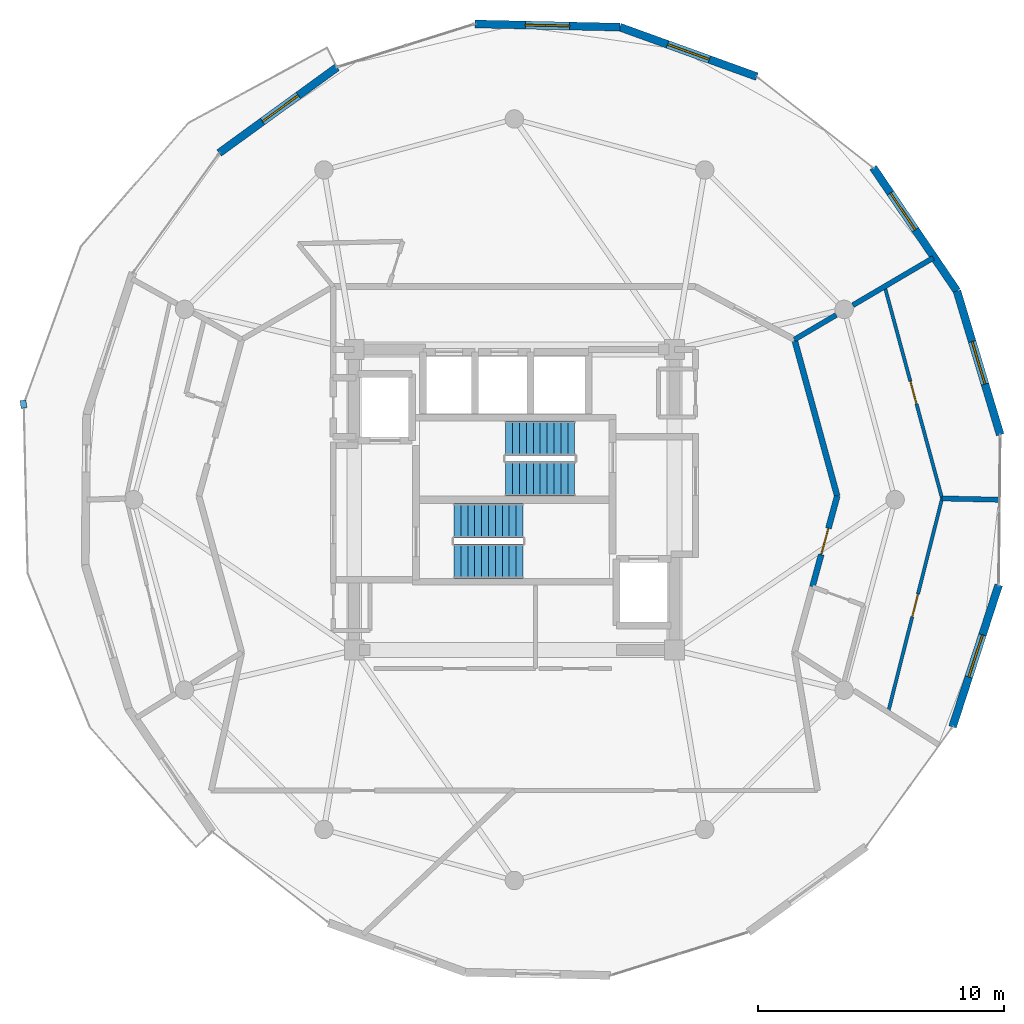
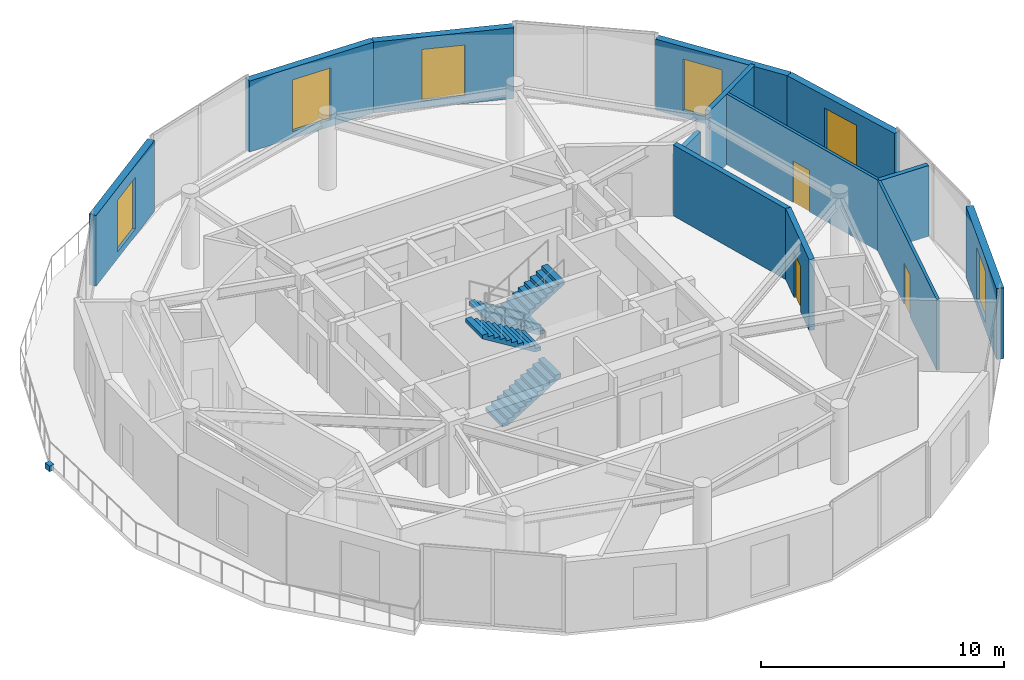
# One storey, part 17 of 19: 13 walls, 6 windows, 4 stair flights, 3 doors, 1 discrete accessory, 9 openings, 2 elements without a shape of their own.
"""IFC4 building model written with IfcOpenShell, lengths in metres."""

from ifc_helpers import new_model, si_unit, direction, frame, frame_2d, origin, origin_2d, place, context, subcontext, project, spatial, polyline, rectangle, outline, extrude, material, layer, layer_set, type_object, element, fill, aggregate, save


model = new_model("IFC4")

# Units and contexts
model_context = context("Model", 3, precision=1e-05, world=origin(), true_north=direction((0.0, 1.0)))
body_context = subcontext(model_context, "Body", "Model", "MODEL_VIEW")
ifc_project = project(units=[si_unit("LENGTHUNIT", "METRE"), si_unit("AREAUNIT", "SQUARE_METRE"), si_unit("VOLUMEUNIT", "CUBIC_METRE"), si_unit("PLANEANGLEUNIT", "RADIAN"), si_unit("MASSUNIT", "GRAM", prefix="KILO")], contexts=[model_context])

# Site, building, storey
site_placement = place(None, origin())
site = spatial("IfcSite", under=ifc_project, at=site_placement, CompositionType="ELEMENT")
building_placement = place(site_placement, origin())
building = spatial("IfcBuilding", under=site, at=building_placement, Name="Solvirekh Grand Hotel", CompositionType="ELEMENT")
storey_placement = place(building_placement, frame((0.0, 0.0, 254.39990234375)))
storey = spatial("IfcBuildingStorey", under=building, at=storey_placement, Name="L66", CompositionType="ELEMENT", Elevation=254.39990234375)

# Wall, opening, window
ifc_material_1 = material(Name="Precast concrete C45/55", Category="concrete")
ifc_layer_1 = layer(ifc_material_1, 0.320068359375)
ifc_layer_set_1 = layer_set([ifc_layer_1], Name="Precast concrete C45/55")
wall_type_1 = type_object("IfcWallType", Name="ExtLobbyWall_RC320", PredefinedType="SOLIDWALL", material=ifc_layer_set_1)
wall_1_placement = place(storey_placement, frame((19.652099609375, -3.4599609375, 0.0), z_axis=(0.0, 0.0, 1.0), x_axis=(-0.30928580051, -0.950969133885, 0.0)))
wall_1 = element("IfcWall", 1, at=wall_1_placement, inside=storey, type_object=wall_type_1, Name="L66 exterior structural wall chord 4", PredefinedType="SOLIDWALL", context=body_context, shape_type="SweptSolid", body=[
    extrude(rectangle(XDim=6.052978515625, YDim=0.320068359375, at=frame_2d((3.0263671875, 0.0))), origin(), (0.0, 0.0, 1.0), 3.570068359375),
])
opening_1_placement = place(wall_1_placement, frame((2.1259765625, 0.0, 0.35009765625)))
opening_1 = element("IfcOpeningElement", 2, at=opening_1_placement, cuts=wall_1, Name="Opening W02", PredefinedType="OPENING", context=body_context, shape_type="SweptSolid", body=[
    extrude(rectangle(XDim=1.800048828125, YDim=2.60009765625, at=frame_2d((0.89990234375, 1.300048828125))), frame((0.0, 0.169921875, 0.0), z_axis=(0.0, -1.0, 0.0), x_axis=(1.0, 0.0, 0.0)), (0.0, 0.0, 1.0), 0.340087890625),
])
ifc_material_2 = material(Name="Low-E Tinted Bronze Laminated Glass", Category="aluminium")
window_type = type_object("IfcWindowType", Name="Win_LobbyExt_1800X2600", PartitioningType="SINGLE_PANEL", PredefinedType="WINDOW", material=ifc_material_2)
window_1_placement = place(opening_1_placement, origin())
window_1 = element("IfcWindow", 3, at=window_1_placement, inside=storey, type_object=window_type, Name="L66 panoramic bronze-framed window 4", OverallHeight=2.60009765625, OverallWidth=1.800048828125, PartitioningType="SINGLE_PANEL", PredefinedType="WINDOW", context=body_context, shape_type="SweptSolid", body=[
    extrude(rectangle(XDim=1.800048828125, YDim=2.60009765625, at=frame_2d((0.89990234375, 1.300048828125))), frame((0.0, 0.030029296875, 0.0), z_axis=(0.0, -1.0, 0.0), x_axis=(1.0, 0.0, 0.0)), (0.0, 0.0, 1.0), 0.06005859375),
])
fill(opening_1, window_1)

wall_2_placement = place(storey_placement, frame((17.9580078125, 8.471923828125, 0.0), z_axis=(0.0, 0.0, 1.0), x_axis=(0.288104770088, -0.957598893824, 0.0)))
wall_2 = element("IfcWall", 4, at=wall_2_placement, inside=storey, type_object=wall_type_1, Name="L66 exterior structural wall chord 6", PredefinedType="SOLIDWALL", context=body_context, shape_type="SweptSolid", body=[
    extrude(rectangle(XDim=6.095458984375, YDim=0.320068359375, at=frame_2d((3.0478515625, 0.0))), origin(), (0.0, 0.0, 1.0), 3.570068359375),
])
opening_2_placement = place(wall_2_placement, frame((2.14794921875, 0.0, 0.35009765625)))
opening_2 = element("IfcOpeningElement", 5, at=opening_2_placement, cuts=wall_2, Name="Opening W02", PredefinedType="OPENING", context=body_context, shape_type="SweptSolid", body=[
    extrude(rectangle(XDim=1.800048828125, YDim=2.60009765625, at=frame_2d((0.89990234375, 1.300048828125))), frame((0.0, 0.169921875, 0.0), z_axis=(0.0, -1.0, 0.0), x_axis=(1.0, 0.0, 0.0)), (0.0, 0.0, 1.0), 0.340087890625),
])
window_2_placement = place(opening_2_placement, origin())
window_2 = element("IfcWindow", 6, at=window_2_placement, inside=storey, type_object=window_type, Name="L66 panoramic bronze-framed window 6", OverallHeight=2.60009765625, OverallWidth=1.800048828125, PartitioningType="SINGLE_PANEL", PredefinedType="WINDOW", context=body_context, shape_type="SweptSolid", body=[
    extrude(rectangle(XDim=1.800048828125, YDim=2.60009765625, at=frame_2d((0.89990234375, 1.300048828125))), frame((0.0, 0.030029296875, 0.0), z_axis=(0.0, -1.0, 0.0), x_axis=(1.0, 0.0, 0.0)), (0.0, 0.0, 1.0), 0.06005859375),
])
fill(opening_2, window_2)

wall_3_placement = place(storey_placement, frame((14.556884765625, 13.47998046875, 0.0), z_axis=(0.0, 0.0, 1.0), x_axis=(0.561817948075, -0.827260897916, 0.0)))
wall_3 = element("IfcWall", 7, at=wall_3_placement, inside=storey, type_object=wall_type_1, Name="L66 exterior structural wall chord 7", PredefinedType="SOLIDWALL", context=body_context, shape_type="SweptSolid", body=[
    extrude(rectangle(XDim=6.0537109375, YDim=0.320068359375, at=frame_2d((3.02685546875, 0.0))), origin(), (0.0, 0.0, 1.0), 3.570068359375),
])
opening_3_placement = place(wall_3_placement, frame((1.251953125, 0.0, 0.35009765625)))
opening_3 = element("IfcOpeningElement", 8, at=opening_3_placement, cuts=wall_3, Name="Opening W02", PredefinedType="OPENING", context=body_context, shape_type="SweptSolid", body=[
    extrude(rectangle(XDim=1.800048828125, YDim=2.60009765625, at=frame_2d((0.89990234375, 1.300048828125))), frame((0.0, 0.169921875, 0.0), z_axis=(0.0, -1.0, 0.0), x_axis=(1.0, 0.0, 0.0)), (0.0, 0.0, 1.0), 0.340087890625),
])
window_3_placement = place(opening_3_placement, origin())
window_3 = element("IfcWindow", 9, at=window_3_placement, inside=storey, type_object=window_type, Name="L66 panoramic bronze-framed window 7", OverallHeight=2.60009765625, OverallWidth=1.800048828125, PartitioningType="SINGLE_PANEL", PredefinedType="WINDOW", context=body_context, shape_type="SweptSolid", body=[
    extrude(rectangle(XDim=1.800048828125, YDim=2.60009765625, at=frame_2d((0.89990234375, 1.300048828125))), frame((0.0, 0.030029296875, 0.0), z_axis=(0.0, -1.0, 0.0), x_axis=(1.0, 0.0, 0.0)), (0.0, 0.0, 1.0), 0.06005859375),
])
fill(opening_3, window_3)

wall_4_placement = place(storey_placement, frame((4.280029296875, 19.176025390625, 0.0), z_axis=(0.0, 0.0, 1.0), x_axis=(0.940616145843, -0.339472040349, 0.0)))
wall_4 = element("IfcWall", 10, at=wall_4_placement, inside=storey, type_object=wall_type_1, Name="L66 exterior structural wall chord 9", PredefinedType="SOLIDWALL", context=body_context, shape_type="SweptSolid", body=[
    extrude(rectangle(XDim=5.915283203125, YDim=0.320068359375, at=frame_2d((2.95751953125, 0.0))), origin(), (0.0, 0.0, 1.0), 3.570068359375),
])
opening_4_placement = place(wall_4_placement, frame((2.05810546875, 0.0, 0.35009765625)))
opening_4 = element("IfcOpeningElement", 11, at=opening_4_placement, cuts=wall_4, Name="Opening W02", PredefinedType="OPENING", context=body_context, shape_type="SweptSolid", body=[
    extrude(rectangle(XDim=1.800048828125, YDim=2.60009765625, at=frame_2d((0.89990234375, 1.300048828125))), frame((0.0, 0.169921875, 0.0), z_axis=(0.0, -1.0, 0.0), x_axis=(1.0, 0.0, 0.0)), (0.0, 0.0, 1.0), 0.340087890625),
])
window_4_placement = place(opening_4_placement, origin())
window_4 = element("IfcWindow", 12, at=window_4_placement, inside=storey, type_object=window_type, Name="L66 panoramic bronze-framed window 9", OverallHeight=2.60009765625, OverallWidth=1.800048828125, PartitioningType="SINGLE_PANEL", PredefinedType="WINDOW", context=body_context, shape_type="SweptSolid", body=[
    extrude(rectangle(XDim=1.800048828125, YDim=2.60009765625, at=frame_2d((0.89990234375, 1.300048828125))), frame((0.0, 0.030029296875, 0.0), z_axis=(0.0, -1.0, 0.0), x_axis=(1.0, 0.0, 0.0)), (0.0, 0.0, 1.0), 0.06005859375),
])
fill(opening_4, window_4)

wall_5_placement = place(storey_placement, frame((-1.591064453125, 19.305908203125, 0.0), z_axis=(0.0, 0.0, 1.0), x_axis=(0.999755389007, -0.022117010435, 0.0)))
wall_5 = element("IfcWall", 13, at=wall_5_placement, inside=storey, type_object=wall_type_1, Name="L66 exterior structural wall chord 10", PredefinedType="SOLIDWALL", context=body_context, shape_type="SweptSolid", body=[
    extrude(rectangle(XDim=5.87255859375, YDim=0.320068359375, at=frame_2d((2.936279296875, 0.0))), origin(), (0.0, 0.0, 1.0), 3.570068359375),
])
opening_5_placement = place(wall_5_placement, frame((2.035888671875, 0.0, 0.35009765625)))
opening_5 = element("IfcOpeningElement", 14, at=opening_5_placement, cuts=wall_5, Name="Opening W02", PredefinedType="OPENING", context=body_context, shape_type="SweptSolid", body=[
    extrude(rectangle(XDim=1.800048828125, YDim=2.60009765625, at=frame_2d((0.89990234375, 1.300048828125))), frame((0.0, 0.169921875, 0.0), z_axis=(0.0, -1.0, 0.0), x_axis=(1.0, 0.0, 0.0)), (0.0, 0.0, 1.0), 0.340087890625),
])
window_5_placement = place(opening_5_placement, origin())
window_5 = element("IfcWindow", 15, at=window_5_placement, inside=storey, type_object=window_type, Name="L66 panoramic bronze-framed window 10", OverallHeight=2.60009765625, OverallWidth=1.800048828125, PartitioningType="SINGLE_PANEL", PredefinedType="WINDOW", context=body_context, shape_type="SweptSolid", body=[
    extrude(rectangle(XDim=1.800048828125, YDim=2.60009765625, at=frame_2d((0.89990234375, 1.300048828125))), frame((0.0, 0.030029296875, 0.0), z_axis=(0.0, -1.0, 0.0), x_axis=(1.0, 0.0, 0.0)), (0.0, 0.0, 1.0), 0.06005859375),
])
fill(opening_5, window_5)

wall_6_placement = place(storey_placement, frame((-11.97900390625, 14.070068359375, 0.0), z_axis=(0.0, 0.0, 1.0), x_axis=(0.809025103001, 0.587774091564, 0.0)))
wall_6 = element("IfcWall", 16, at=wall_6_placement, inside=storey, type_object=wall_type_1, Name="L66 exterior structural wall chord 12", PredefinedType="SOLIDWALL", context=body_context, shape_type="SweptSolid", body=[
    extrude(rectangle(XDim=5.91552734375, YDim=0.320068359375, at=frame_2d((2.957763671875, 0.0))), origin(), (0.0, 0.0, 1.0), 3.570068359375),
])
opening_6_placement = place(wall_6_placement, frame((2.175048828125, 0.0, 0.35009765625)))
opening_6 = element("IfcOpeningElement", 17, at=opening_6_placement, cuts=wall_6, Name="Opening W02", PredefinedType="OPENING", context=body_context, shape_type="SweptSolid", body=[
    extrude(rectangle(XDim=1.800048828125, YDim=2.60009765625, at=frame_2d((0.89990234375, 1.300048828125))), frame((0.0, 0.169921875, 0.0), z_axis=(0.0, -1.0, 0.0), x_axis=(1.0, 0.0, 0.0)), (0.0, 0.0, 1.0), 0.340087890625),
])
window_6_placement = place(opening_6_placement, origin())
window_6 = element("IfcWindow", 18, at=window_6_placement, inside=storey, type_object=window_type, Name="L66 panoramic bronze-framed window 12", OverallHeight=2.60009765625, OverallWidth=1.800048828125, PartitioningType="SINGLE_PANEL", PredefinedType="WINDOW", context=body_context, shape_type="SweptSolid", body=[
    extrude(rectangle(XDim=1.800048828125, YDim=2.60009765625, at=frame_2d((0.89990234375, 1.300048828125))), frame((0.0, 0.030029296875, 0.0), z_axis=(0.0, -1.0, 0.0), x_axis=(1.0, 0.0, 0.0)), (0.0, 0.0, 1.0), 0.06005859375),
])
fill(opening_6, window_6)

# Wall
ifc_material_3 = material(Name="Acoustic Gypsum Partition Assembly")
ifc_layer_2 = layer(ifc_material_3, 0.239990234375)
ifc_layer_set_2 = layer_set([ifc_layer_2], Name="Acoustic Gypsum Partition Assembly")
wall_type_2 = type_object("IfcWallType", Name="Part_Corridor_240", PredefinedType="PARTITIONING", material=ifc_layer_set_2)
wall_7_placement = place(storey_placement, frame((13.10009765625, 0.14990234375, 0.0), z_axis=(0.0, 0.0, 1.0), x_axis=(-0.263578683342, 0.964637899778, 0.0)))
element("IfcWall", 19, at=wall_7_placement, inside=storey, type_object=wall_type_2, Name="L66 Executive Suite 6803 Living Room corridor wall 1", PredefinedType="PARTITIONING", context=body_context, shape_type="SweptSolid", body=[
    extrude(rectangle(XDim=6.582763671875, YDim=0.239990234375, at=frame_2d((3.29150390625, 0.0))), origin(), (0.0, 0.0, 1.0), 3.570068359375),
])

# Wall, opening, door
wall_8_placement = place(storey_placement, frame((12.093994140625, -3.532958984375, 0.0), z_axis=(0.0, 0.0, 1.0), x_axis=(0.263528615014, 0.964651579104, 0.0)))
wall_8 = element("IfcWall", 20, at=wall_8_placement, inside=storey, type_object=wall_type_2, Name="L66 Executive Suite 6803 Living Room entrance wall", PredefinedType="PARTITIONING", context=body_context, shape_type="SweptSolid", body=[
    extrude(rectangle(XDim=3.81787109375, YDim=0.239990234375, at=frame_2d((1.908935546875, 0.0))), origin(), (0.0, 0.0, 1.0), 3.570068359375),
])
opening_7_placement = place(wall_8_placement, frame((1.35888671875, 0.0, 0.0)))
opening_7 = element("IfcOpeningElement", 21, at=opening_7_placement, cuts=wall_8, Name="Opening D08", PredefinedType="OPENING", context=body_context, shape_type="SweptSolid", body=[
    extrude(rectangle(XDim=1.10009765625, YDim=2.300048828125, at=frame_2d((0.550048828125, 1.14990234375))), frame((0.0, 0.1298828125, 0.0), z_axis=(0.0, -1.0, 0.0), x_axis=(1.0, 0.0, 0.0)), (0.0, 0.0, 1.0), 0.260009765625),
])
ifc_material_4 = material(Name="Fire-Rated Steel Door Assembly", Category="steel")
door_type_1 = type_object("IfcDoorType", Name="Door_SuiteEntry_1100X2300", OperationType="NOTDEFINED", PredefinedType="DOOR", material=ifc_material_4)
door_1_placement = place(opening_7_placement, origin())
door_1 = element("IfcDoor", 22, at=door_1_placement, inside=storey, type_object=door_type_1, Name="L66 Executive Suite 6803 Living Room entrance door", OperationType="SINGLE_SWING_LEFT", OverallHeight=2.300048828125, OverallWidth=1.10009765625, PredefinedType="DOOR", context=body_context, shape_type="SweptSolid", body=[
    extrude(rectangle(XDim=1.10009765625, YDim=2.300048828125, at=frame_2d((0.550048828125, 1.14990234375))), frame((0.0, 0.02490234375, 0.0), z_axis=(0.0, -1.0, 0.0), x_axis=(1.0, 0.0, 0.0)), (0.0, 0.0, 1.0), 0.050048828125),
])
fill(opening_7, door_1)

ifc_layer_3 = layer(ifc_material_3, 0.135009765625)
ifc_layer_set_3 = layer_set([ifc_layer_3], Name="Acoustic Gypsum Partition Assembly")
wall_type_3 = type_object("IfcWallType", Name="Part_RoomInt_135", PredefinedType="PARTITIONING", material=ifc_layer_set_3)
wall_9_placement = place(storey_placement, frame((15.1650390625, -8.62890625, 0.0), z_axis=(0.0, 0.0, 1.0), x_axis=(0.244710102304, 0.969596290128, 0.0)))
wall_9 = element("IfcWall", 23, at=wall_9_placement, inside=storey, type_object=wall_type_3, Name="L66 Executive Suite 6803 Living Room bedroom screen wall", PredefinedType="PARTITIONING", context=body_context, shape_type="SweptSolid", body=[
    extrude(rectangle(XDim=8.953125, YDim=0.135009765625, at=frame_2d((4.4765625, 0.0))), origin(), (0.0, 0.0, 1.0), 3.570068359375),
])
opening_8_placement = place(wall_9_placement, frame((4.001953125, 0.0, 0.0)))
opening_8 = element("IfcOpeningElement", 24, at=opening_8_placement, cuts=wall_9, Name="Opening D10", PredefinedType="OPENING", context=body_context, shape_type="SweptSolid", body=[
    extrude(rectangle(XDim=0.949951171875, YDim=2.10009765625, at=frame_2d((0.47509765625, 1.050048828125))), frame((0.0, 0.07763671875, 0.0), z_axis=(0.0, -1.0, 0.0), x_axis=(1.0, 0.0, 0.0)), (0.0, 0.0, 1.0), 0.155029296875),
])
ifc_material_5 = material(Name="Anodized Bronze Aluminium 6063-T6", Category="aluminium")
door_type_2 = type_object("IfcDoorType", Name="Door_RoomInt_950X2100", OperationType="NOTDEFINED", PredefinedType="DOOR", material=ifc_material_5)
door_2_placement = place(opening_8_placement, origin())
door_2 = element("IfcDoor", 25, at=door_2_placement, inside=storey, type_object=door_type_2, Name="L66 Executive Suite 6803 Living Room master bedroom door", OperationType="SINGLE_SWING_RIGHT", OverallHeight=2.10009765625, OverallWidth=0.949951171875, PredefinedType="DOOR", context=body_context, shape_type="SweptSolid", body=[
    extrude(rectangle(XDim=0.949951171875, YDim=2.10009765625, at=frame_2d((0.47509765625, 1.050048828125))), frame((0.0, 0.02490234375, 0.0), z_axis=(0.0, -1.0, 0.0), x_axis=(1.0, 0.0, 0.0)), (0.0, 0.0, 1.0), 0.050048828125),
])
fill(opening_8, door_2)

wall_10_placement = place(storey_placement, frame((17.35595703125, 0.052001953125, 0.0), z_axis=(0.0, 0.0, 1.0), x_axis=(-0.261452695661, 0.965216290751, 0.0)))
wall_10 = element("IfcWall", 26, at=wall_10_placement, inside=storey, type_object=wall_type_3, Name="L66 Executive Suite 6803 Panorama Suite Study bedroom screen wall", PredefinedType="PARTITIONING", context=body_context, shape_type="SweptSolid", body=[
    extrude(rectangle(XDim=8.912109375, YDim=0.135009765625, at=frame_2d((4.4560546875, 0.0))), origin(), (0.0, 0.0, 1.0), 3.570068359375),
])
opening_9_placement = place(wall_10_placement, frame((3.98095703125, 0.0, 0.0)))
opening_9 = element("IfcOpeningElement", 27, at=opening_9_placement, cuts=wall_10, Name="Opening D10", PredefinedType="OPENING", context=body_context, shape_type="SweptSolid", body=[
    extrude(rectangle(XDim=0.949951171875, YDim=2.10009765625, at=frame_2d((0.47509765625, 1.050048828125))), frame((0.0, 0.07763671875, 0.0), z_axis=(0.0, -1.0, 0.0), x_axis=(1.0, 0.0, 0.0)), (0.0, 0.0, 1.0), 0.155029296875),
])
door_3_placement = place(opening_9_placement, origin())
door_3 = element("IfcDoor", 28, at=door_3_placement, inside=storey, type_object=door_type_2, Name="L66 Executive Suite 6803 Panorama Suite Study master bedroom door", OperationType="SINGLE_SWING_LEFT", OverallHeight=2.10009765625, OverallWidth=0.949951171875, PredefinedType="DOOR", context=body_context, shape_type="SweptSolid", body=[
    extrude(rectangle(XDim=0.949951171875, YDim=2.10009765625, at=frame_2d((0.47509765625, 1.050048828125))), frame((0.0, 0.02490234375, 0.0), z_axis=(0.0, -1.0, 0.0), x_axis=(1.0, 0.0, 0.0)), (0.0, 0.0, 1.0), 0.050048828125),
])
fill(opening_9, door_3)

# Walls
ifc_layer_4 = layer(ifc_material_3, 0.2099609375)
ifc_layer_set_4 = layer_set([ifc_layer_4], Name="Acoustic Gypsum Partition Assembly")
wall_type_4 = type_object("IfcWallType", Name="Part_SuiteDemise_210", PredefinedType="PARTITIONING", material=ifc_layer_set_4)
wall_11_placement = place(storey_placement, frame((11.364990234375, 6.5, 0.0), z_axis=(0.0, 0.0, 1.0), x_axis=(0.861902264102, 0.507074439443, 0.0)))
element("IfcWall", 29, at=wall_11_placement, inside=storey, type_object=wall_type_4, Name="L66 suite radial wall 2 (A)", PredefinedType="PARTITIONING", context=body_context, shape_type="SweptSolid", body=[
    extrude(rectangle(XDim=1.96435546875, YDim=0.2099609375, at=frame_2d((0.982177734375, 0.0))), origin(), (0.0, 0.0, 1.0), 3.010986328125),
])
wall_12_placement = place(storey_placement, frame((13.736083984375, 7.89501953125, 0.0), z_axis=(0.0, 0.0, 1.0), x_axis=(0.861917631158, 0.507048318307, 0.0)))
element("IfcWall", 30, at=wall_12_placement, inside=storey, type_object=wall_type_4, Name="L66 suite radial wall 2 (B)", PredefinedType="PARTITIONING", context=body_context, shape_type="SweptSolid", body=[
    extrude(rectangle(XDim=3.784423828125, YDim=0.2099609375, at=frame_2d((1.89208984375, 0.0))), origin(), (0.0, 0.0, 1.0), 3.570068359375),
])
wall_13_placement = place(storey_placement, frame((17.35595703125, 0.052001953125, 0.0), z_axis=(0.0, 0.0, 1.0), x_axis=(0.999742495135, -0.022692364819, 0.0)))
element("IfcWall", 31, at=wall_13_placement, inside=storey, type_object=wall_type_4, Name="L66 Executive Suite 6803 Living Room dividing partition 1", PredefinedType="PARTITIONING", context=body_context, shape_type="SweptSolid", body=[
    extrude(rectangle(XDim=2.29150390625, YDim=0.2099609375, at=frame_2d((1.145751953125, 0.0))), origin(), (0.0, 0.0, 1.0), 3.570068359375),
])

# Stair, stair flights
ifc_material_6 = material(Name="Concrete C40/50", Category="concrete")
stair_type = type_object("IfcStairType", Name="Stair_Core_1450", PredefinedType="HALF_TURN_STAIR", material=ifc_material_6)
stair_1_placement = place(storey_placement, origin())
stair_1 = element("IfcStair", 32, at=stair_1_placement, inside=storey, type_object=stair_type, Name="L66 Enclosed exit stair ST-1", PredefinedType="HALF_TURN_STAIR")
stair_flight_type = type_object("IfcStairFlightType", Name="Flight_Core_1450", PredefinedType="STRAIGHT", material=ifc_material_6)
stair_flight_1_placement = place(storey_placement, frame((-2.449951171875, -2.5, 0.0), z_axis=(0.0, 0.0, 1.0), x_axis=(1.0, 0.0, 0.0)))
stair_flight_1 = element("IfcStairFlight", 33, at=stair_flight_1_placement, type_object=stair_flight_type, Name="ST-1 flight 1", NumberOfRisers=11, NumberOfTreads=10, PredefinedType="STRAIGHT", RiserHeight=0.172727273, TreadLength=0.28, context=body_context, shape_type="SweptSolid", body=[
    extrude(outline(polyline([(0.0, 0.0), (0.0, 0.172607421875), (0.280029296875, 0.172607421875), (0.280029296875, 0.345458984375), (0.56005859375, 0.345458984375), (0.56005859375, 0.51806640625), (0.840087890625, 0.51806640625), (0.840087890625, 0.69091796875), (1.1201171875, 0.69091796875), (1.1201171875, 0.863525390625), (1.39990234375, 0.863525390625), (1.39990234375, 1.036376953125), (1.679931640625, 1.036376953125), (1.679931640625, 1.208984375), (1.9599609375, 1.208984375), (1.9599609375, 1.3818359375), (2.239990234375, 1.3818359375), (2.239990234375, 1.554443359375), (2.52001953125, 1.554443359375), (2.52001953125, 1.727294921875), (2.800048828125, 1.727294921875), (2.800048828125, 1.89990234375), (2.800048828125, 1.551025390625), (0.285400390625, 0.0), (0.0, 0.0)])), frame((0.0, 0.699951171875, 0.0), z_axis=(0.0, -1.0, 0.0), x_axis=(1.0, 0.0, 0.0)), (0.0, 0.0, 1.0), 1.39990234375),
])
stair_flight_2_placement = place(storey_placement, frame((0.35009765625, -0.85009765625, 1.900146484375), z_axis=(0.0, 0.0, 1.0), x_axis=(-1.0, 0.0, 0.0)))
stair_flight_2 = element("IfcStairFlight", 34, at=stair_flight_2_placement, type_object=stair_flight_type, Name="ST-1 flight 2", NumberOfRisers=11, NumberOfTreads=10, PredefinedType="STRAIGHT", RiserHeight=0.172727273, TreadLength=0.28, context=body_context, shape_type="SweptSolid", body=[
    extrude(outline(polyline([(0.0, 0.0), (0.0, 0.172607421875), (0.280029296875, 0.172607421875), (0.280029296875, 0.345458984375), (0.56005859375, 0.345458984375), (0.56005859375, 0.51806640625), (0.840087890625, 0.51806640625), (0.840087890625, 0.69091796875), (1.1201171875, 0.69091796875), (1.1201171875, 0.863525390625), (1.39990234375, 0.863525390625), (1.39990234375, 1.036376953125), (1.679931640625, 1.036376953125), (1.679931640625, 1.208984375), (1.9599609375, 1.208984375), (1.9599609375, 1.3818359375), (2.239990234375, 1.3818359375), (2.239990234375, 1.554443359375), (2.52001953125, 1.554443359375), (2.52001953125, 1.727294921875), (2.800048828125, 1.727294921875), (2.800048828125, 1.89990234375), (2.800048828125, 1.551025390625), (0.285400390625, 0.0), (0.0, 0.0)])), frame((0.0, 0.699951171875, 0.0), z_axis=(0.0, -1.0, 0.0), x_axis=(1.0, 0.0, 0.0)), (0.0, 0.0, 1.0), 1.39990234375),
])
aggregate(stair_1, [stair_flight_1, stair_flight_2])

stair_2_placement = place(storey_placement, origin())
stair_2 = element("IfcStair", 35, at=stair_2_placement, inside=storey, type_object=stair_type, Name="L66 Enclosed exit stair ST-2", PredefinedType="HALF_TURN_STAIR")
stair_flight_3_placement = place(storey_placement, frame((2.449951171875, 2.5, 0.0), z_axis=(0.0, 0.0, 1.0), x_axis=(-1.0, 0.0, 0.0)))
stair_flight_3 = element("IfcStairFlight", 36, at=stair_flight_3_placement, type_object=stair_flight_type, Name="ST-2 flight 1", NumberOfRisers=11, NumberOfTreads=10, PredefinedType="STRAIGHT", RiserHeight=0.172727273, TreadLength=0.28, context=body_context, shape_type="SweptSolid", body=[
    extrude(outline(polyline([(0.0, 0.0), (0.0, 0.172607421875), (0.280029296875, 0.172607421875), (0.280029296875, 0.345458984375), (0.56005859375, 0.345458984375), (0.56005859375, 0.51806640625), (0.840087890625, 0.51806640625), (0.840087890625, 0.69091796875), (1.1201171875, 0.69091796875), (1.1201171875, 0.863525390625), (1.39990234375, 0.863525390625), (1.39990234375, 1.036376953125), (1.679931640625, 1.036376953125), (1.679931640625, 1.208984375), (1.9599609375, 1.208984375), (1.9599609375, 1.3818359375), (2.239990234375, 1.3818359375), (2.239990234375, 1.554443359375), (2.52001953125, 1.554443359375), (2.52001953125, 1.727294921875), (2.800048828125, 1.727294921875), (2.800048828125, 1.89990234375), (2.800048828125, 1.551025390625), (0.285400390625, 0.0), (0.0, 0.0)])), frame((0.0, 0.699951171875, 0.0), z_axis=(0.0, -1.0, 0.0), x_axis=(1.0, 0.0, 0.0)), (0.0, 0.0, 1.0), 1.39990234375),
])
stair_flight_4_placement = place(storey_placement, frame((-0.35009765625, 0.85009765625, 1.900146484375), z_axis=(0.0, 0.0, 1.0), x_axis=(1.0, 0.0, 0.0)))
stair_flight_4 = element("IfcStairFlight", 37, at=stair_flight_4_placement, type_object=stair_flight_type, Name="ST-2 flight 2", NumberOfRisers=11, NumberOfTreads=10, PredefinedType="STRAIGHT", RiserHeight=0.172727273, TreadLength=0.28, context=body_context, shape_type="SweptSolid", body=[
    extrude(outline(polyline([(0.0, 0.0), (0.0, 0.172607421875), (0.280029296875, 0.172607421875), (0.280029296875, 0.345458984375), (0.56005859375, 0.345458984375), (0.56005859375, 0.51806640625), (0.840087890625, 0.51806640625), (0.840087890625, 0.69091796875), (1.1201171875, 0.69091796875), (1.1201171875, 0.863525390625), (1.39990234375, 0.863525390625), (1.39990234375, 1.036376953125), (1.679931640625, 1.036376953125), (1.679931640625, 1.208984375), (1.9599609375, 1.208984375), (1.9599609375, 1.3818359375), (2.239990234375, 1.3818359375), (2.239990234375, 1.554443359375), (2.52001953125, 1.554443359375), (2.52001953125, 1.727294921875), (2.800048828125, 1.727294921875), (2.800048828125, 1.89990234375), (2.800048828125, 1.551025390625), (0.285400390625, 0.0), (0.0, 0.0)])), frame((0.0, 0.699951171875, 0.0), z_axis=(0.0, -1.0, 0.0), x_axis=(1.0, 0.0, 0.0)), (0.0, 0.0, 1.0), 1.39990234375),
])
aggregate(stair_2, [stair_flight_3, stair_flight_4])

# Discrete accessory
ifc_material_7 = material(Name="Steel S355", Category="steel")
discrete_accessory_type = type_object("IfcDiscreteAccessoryType", Name="Acc_ThermalBracket", PredefinedType="BRACKET", material=ifc_material_7)
discrete_accessory_placement = place(storey_placement, frame((-19.91796875, 3.8779296875, -0.27978515625), z_axis=(0.0, 0.0, 1.0), x_axis=(0.140901231938, -0.990023657717, 0.0)))
element("IfcDiscreteAccessory", 38, at=discrete_accessory_placement, inside=storey, type_object=discrete_accessory_type, Name="L66 balcony thermal-break bracket", PredefinedType="BRACKET", context=body_context, shape_type="SweptSolid", body=[
    extrude(rectangle(XDim=0.320068359375, YDim=0.239990234375, at=origin_2d()), origin(), (0.0, 0.0, 1.0), 0.280029296875),
])

save(model, "model.ifc")
